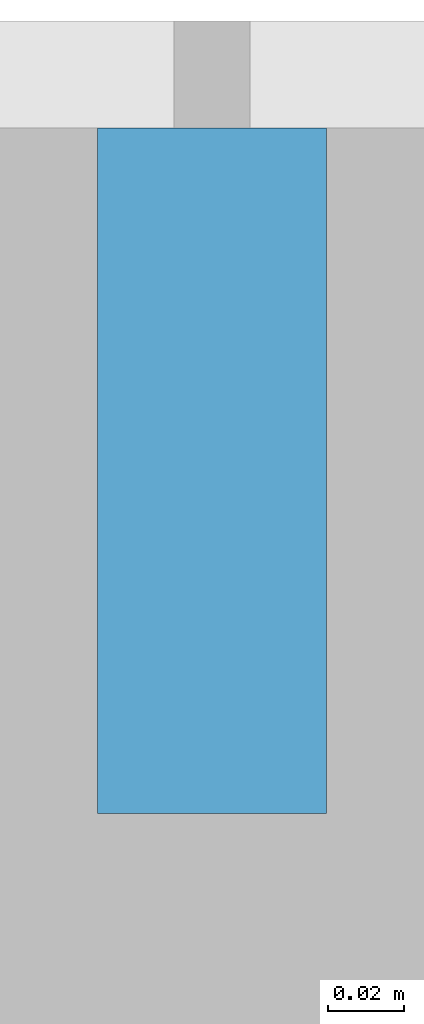
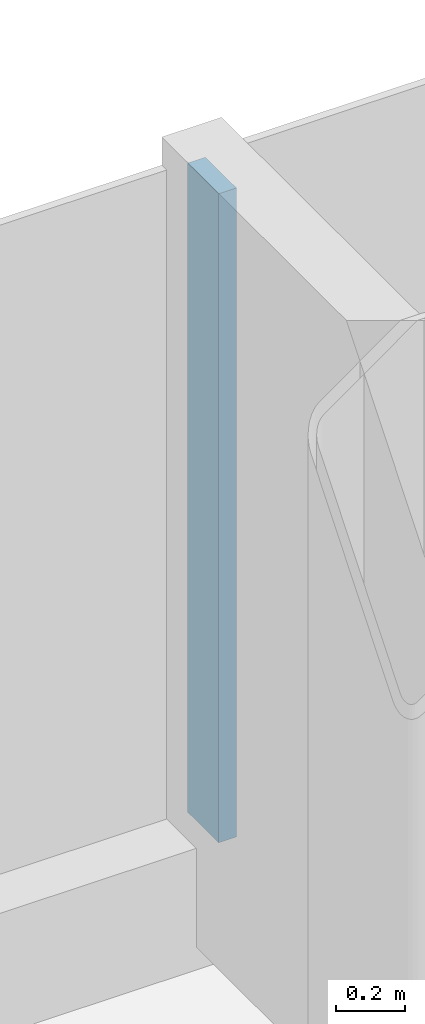
# One storey, part 7 of 26: 1 member, 1 element without a shape of its own.
"""IFC4 building model written with IfcOpenShell, lengths in metres."""

from ifc_helpers import new_model, si_unit, direction, frame, origin, origin_2d, place, context, subcontext, project, spatial, rectangle, extrude, material, layer, layer_set, material_profile, profile_set, type_object, element, aggregate, save


model = new_model("IFC4")

# Units and contexts
model_context = context("Model", 3, precision=1e-05, world=origin(), true_north=direction((0.0, 1.0)))
body_context = subcontext(model_context, "Body", "Model", "MODEL_VIEW")
ifc_project = project(units=[si_unit("LENGTHUNIT", "METRE"), si_unit("AREAUNIT", "SQUARE_METRE"), si_unit("VOLUMEUNIT", "CUBIC_METRE"), si_unit("PLANEANGLEUNIT", "RADIAN"), si_unit("MASSUNIT", "GRAM", prefix="KILO")], contexts=[model_context])

# Site, building, storey
site_placement = place(None, origin())
site = spatial("IfcSite", under=ifc_project, at=site_placement, CompositionType="ELEMENT")
building_placement = place(site_placement, origin())
building = spatial("IfcBuilding", under=site, at=building_placement, Name="Hakoniwa Tower and Hamabe Station Hall", CompositionType="ELEMENT")
storey_placement = place(building_placement, frame((0.0, 0.0, 199.39990234375)))
storey = spatial("IfcBuildingStorey", under=building, at=storey_placement, Name="L56", CompositionType="ELEMENT", Elevation=199.39990234375)

# Curtain wall, member
ifc_material_1 = material(Name="Dark low-e laminated glass", Category="glass")
ifc_layer = layer(ifc_material_1, 0.199951171875)
ifc_layer_set = layer_set([ifc_layer], Name="CW-1 UNITISED GUEST")
curtain_wall_type = type_object("IfcCurtainWallType", Name="CW-1 UNITISED GUEST", PredefinedType="NOTDEFINED", material=ifc_layer_set)
curtain_wall_placement = place(storey_placement, origin())
curtain_wall = element("IfcCurtainWall", 1, at=curtain_wall_placement, inside=storey, type_object=curtain_wall_type, Name="CW-1 curtain wall", PredefinedType="NOTDEFINED")
ifc_material_2 = material(Name="Aluminium 6063-T5 black anodised", Category="aluminium")
ifc_material_profile = material_profile(ifc_material_2, rectangle(XDim=0.06005859375, YDim=0.179931640625, at=origin_2d()), Name="CW-1 MULLION 60X180")
ifc_profile_set = profile_set([ifc_material_profile], Name="Aluminium 6063-T5 black anodised")
member_type = type_object("IfcMemberType", Name="CW-1 MULLION 60X180", PredefinedType="MULLION", material=ifc_profile_set)
member_placement = place(storey_placement, frame((0.0, 20.431884765625, 0.35009765625), z_axis=(0.0, 0.0, 1.0), x_axis=(-1.0, 0.0, 0.0)))
member = element("IfcMember", 2, at=member_placement, type_object=member_type, Name="CW-1 mullion", PredefinedType="MULLION", context=body_context, shape_type="SweptSolid", body=[
    extrude(rectangle(XDim=0.06005859375, YDim=0.179931640625, at=origin_2d()), origin(), (0.0, 0.0, 1.0), 2.300048828125),
])
aggregate(curtain_wall, [member])

save(model, "model.ifc")
